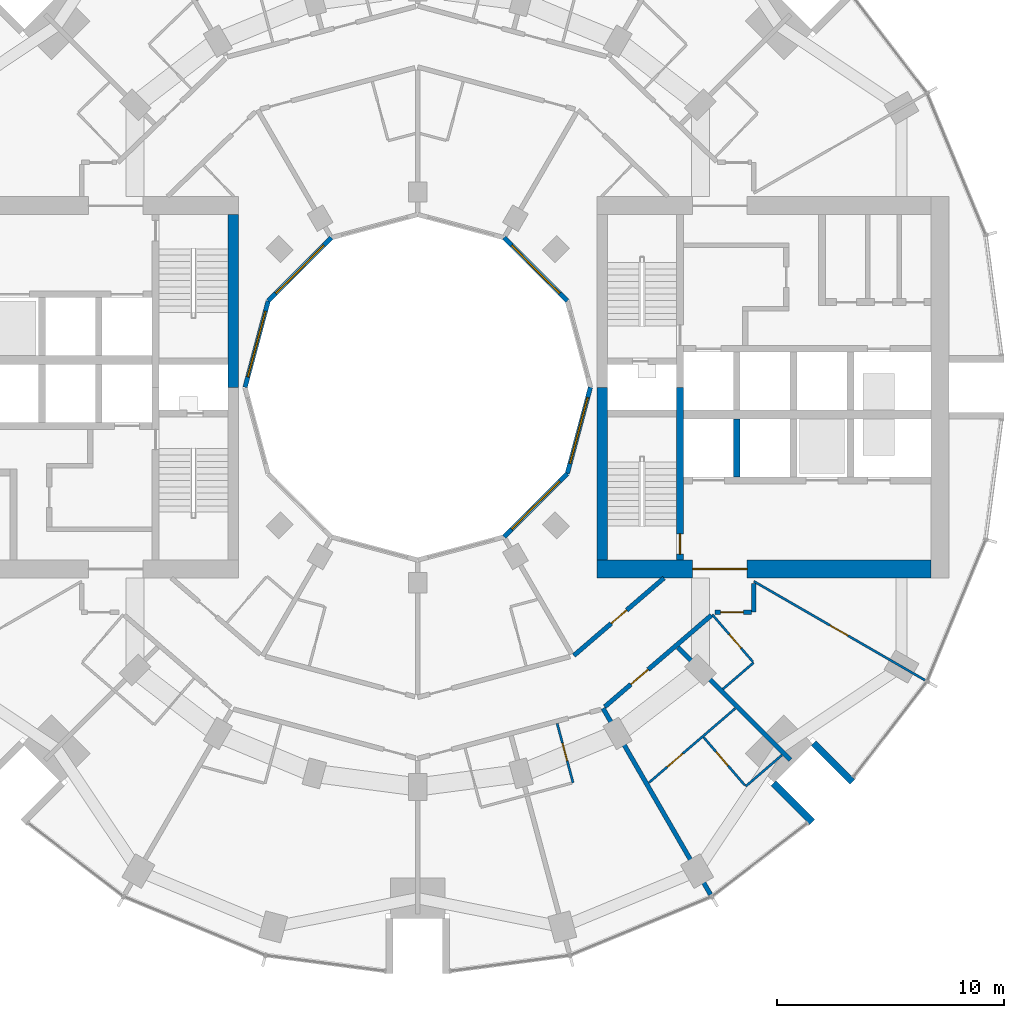
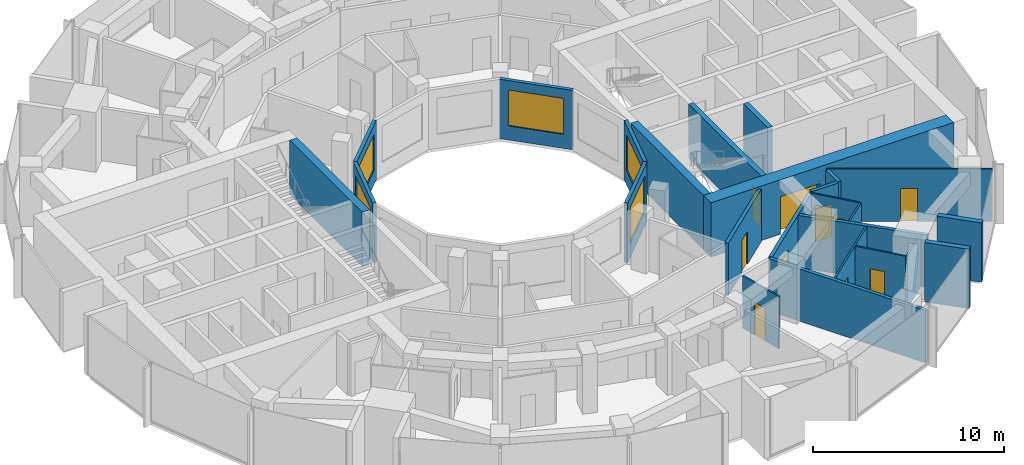
# One storey, part 10 of 15: 25 walls, 10 doors, 5 windows, 15 openings.
"""IFC4 building model written with IfcOpenShell, lengths in metres."""

from ifc_helpers import new_model, si_unit, direction, frame, frame_2d, origin, place, context, subcontext, project, spatial, rectangle, extrude, material, layer, layer_set, type_object, element, fill, save


model = new_model("IFC4")

# Units and contexts
model_context = context("Model", 3, precision=1e-05, world=origin(), true_north=direction((0.0, 1.0)))
body_context = subcontext(model_context, "Body", "Model", "MODEL_VIEW")
ifc_project = project(units=[si_unit("LENGTHUNIT", "METRE"), si_unit("AREAUNIT", "SQUARE_METRE"), si_unit("VOLUMEUNIT", "CUBIC_METRE"), si_unit("PLANEANGLEUNIT", "RADIAN"), si_unit("MASSUNIT", "GRAM", prefix="KILO")], contexts=[model_context])

# Site, building, storey
site_placement = place(None, origin())
site = spatial("IfcSite", under=ifc_project, at=site_placement, CompositionType="ELEMENT")
building_placement = place(site_placement, origin())
building = spatial("IfcBuilding", under=site, at=building_placement, Name="Torre Brocal", CompositionType="ELEMENT")
storey_placement = place(building_placement, frame((0.0, 0.0, 36.39990234375)))
storey = spatial("IfcBuildingStorey", under=building, at=storey_placement, Name="L07", CompositionType="ELEMENT", Elevation=36.39990234375)

# Wall, opening, door
ifc_material_1 = material(Name="Concrete C80", Category="concrete")
ifc_layer_1 = layer(ifc_material_1, 0.300048828125)
ifc_layer_set_1 = layer_set([ifc_layer_1], Name="Concrete C80")
wall_type_1 = type_object("IfcWallType", Name="CORE WALL 300 C80", PredefinedType="SHEAR", material=ifc_layer_set_1)
wall_1_placement = place(storey_placement, frame((91.550048828125, 67.39990234375, 0.0), z_axis=(0.0, 0.0, 1.0), x_axis=(0.0, 1.0, 0.0)))
wall_1 = element("IfcWall", 1, at=wall_1_placement, inside=storey, type_object=wall_type_1, Name="Wall CW300-80", PredefinedType="SHEAR", context=body_context, shape_type="SweptSolid", body=[
    extrude(rectangle(XDim=7.60009765625, YDim=0.300048828125, at=frame_2d((3.800048828125, 0.0))), origin(), (0.0, 0.0, 1.0), 3.47998046875),
])
opening_1_placement = place(wall_1_placement, frame((0.25, 0.0, 0.0)))
opening_1 = element("IfcOpeningElement", 2, at=opening_1_placement, cuts=wall_1, Name="Opening E-D03", PredefinedType="OPENING", context=body_context, shape_type="SweptSolid", body=[
    extrude(rectangle(XDim=0.89990234375, YDim=2.10009765625, at=frame_2d((0.449951171875, 1.050048828125))), frame((0.0, 0.159912109375, 0.0), z_axis=(0.0, -1.0, 0.0), x_axis=(1.0, 0.0, 0.0)), (0.0, 0.0, 1.0), 0.320068359375),
])
ifc_material_2 = material(Name="Steel A653", Category="steel")
door_type_1 = type_object("IfcDoorType", Name="STAIR DOOR FD120 900X2100", OperationType="SINGLE_SWING_RIGHT", PredefinedType="DOOR", material=ifc_material_2)
door_1_placement = place(opening_1_placement, origin())
door_1 = element("IfcDoor", 3, at=door_1_placement, inside=storey, type_object=door_type_1, Name="Door E-D03", OperationType="SINGLE_SWING_LEFT", OverallHeight=2.10009765625, OverallWidth=0.89990234375, PredefinedType="DOOR", context=body_context, shape_type="SweptSolid", body=[
    extrude(rectangle(XDim=0.89990234375, YDim=2.10009765625, at=frame_2d((0.449951171875, 1.050048828125))), frame((0.0, 0.02490234375, 0.0), z_axis=(0.0, -1.0, 0.0), x_axis=(1.0, 0.0, 0.0)), (0.0, 0.0, 1.0), 0.050048828125),
])
fill(opening_1, door_1)

# Walls
wall_2_placement = place(storey_placement, frame((94.050048828125, 71.050048828125, 0.0), z_axis=(0.0, 0.0, 1.0), x_axis=(0.0, 1.0, 0.0)))
element("IfcWall", 4, at=wall_2_placement, inside=storey, type_object=wall_type_1, Name="Wall CW300-80", PredefinedType="SHEAR", context=body_context, shape_type="SweptSolid", body=[
    extrude(rectangle(XDim=2.550048828125, YDim=0.300048828125, at=frame_2d((1.27490234375, 0.0))), origin(), (0.0, 0.0, 1.0), 3.47998046875),
])
ifc_material_3 = material(Name="Concrete C80", Category="concrete")
ifc_layer_2 = layer(ifc_material_3, 0.449951171875)
ifc_layer_set_2 = layer_set([ifc_layer_2], Name="Concrete C80")
wall_type_2 = type_object("IfcWallType", Name="CORE WALL 450 C80", PredefinedType="SHEAR", material=ifc_layer_set_2)
for number, where, z_axis, x_axis, name in (
    (5, (88.125, 67.39990234375, 0.0), (0.0, 0.0, 1.0), (0.0, 1.0, 0.0), "Wall CW450-80"),
    (6, (71.875, 82.60009765625, 0.0), (0.0, 0.0, 1.0), (0.0, -1.0, 0.0), "Wall CW450-80"),
):
    element("IfcWall", number, at=place(storey_placement, frame(where, z_axis=z_axis, x_axis=x_axis)), inside=storey, type_object=wall_type_2, Name=name, PredefinedType="SHEAR", context=body_context, shape_type="SweptSolid", body=[
        extrude(rectangle(XDim=7.60009765625, YDim=0.449951171875, at=frame_2d((3.800048828125, 0.0))), origin(), (0.0, 0.0, 1.0), 3.47998046875),
    ])

# Wall, opening, door
ifc_material_4 = material(Name="Concrete C80", Category="concrete")
ifc_layer_3 = layer(ifc_material_4, 0.800048828125)
ifc_layer_set_3 = layer_set([ifc_layer_3], Name="Concrete C80")
wall_type_3 = type_object("IfcWallType", Name="CORE WALL 800 C80", PredefinedType="SHEAR", material=ifc_layer_set_3)
wall_3_placement = place(storey_placement, frame((87.89990234375, 67.0, 0.0), z_axis=(0.0, 0.0, 1.0), x_axis=(1.0, 0.0, 0.0)))
wall_3 = element("IfcWall", 7, at=wall_3_placement, inside=storey, type_object=wall_type_3, Name="Wall CW800-80", PredefinedType="SHEAR", context=body_context, shape_type="SweptSolid", body=[
    extrude(rectangle(XDim=14.7001953125, YDim=0.800048828125, at=frame_2d((7.35009765625, 0.0))), origin(), (0.0, 0.0, 1.0), 3.47998046875),
])
opening_2_placement = place(wall_3_placement, frame((4.199951171875, 0.0, 0.0)))
opening_2 = element("IfcOpeningElement", 8, at=opening_2_placement, cuts=wall_3, Name="Opening E-D30", PredefinedType="OPENING", context=body_context, shape_type="SweptSolid", body=[
    extrude(rectangle(XDim=2.39990234375, YDim=2.39990234375, at=frame_2d((1.199951171875, 1.199951171875))), frame((0.0, 0.409912109375, 0.0), z_axis=(0.0, -1.0, 0.0), x_axis=(1.0, 0.0, 0.0)), (0.0, 0.0, 1.0), 0.820068359375),
])
ifc_material_5 = material(Name="Steel A653", Category="steel")
door_type_2 = type_object("IfcDoorType", Name="DOUBLE FIRE DOOR FD90 2400X2400", OperationType="DOUBLE_DOOR_SINGLE_SWING", PredefinedType="DOOR", material=ifc_material_5)
door_2_placement = place(opening_2_placement, origin())
door_2 = element("IfcDoor", 9, at=door_2_placement, inside=storey, type_object=door_type_2, Name="Door E-D30", OperationType="DOUBLE_DOOR_SINGLE_SWING", OverallHeight=2.39990234375, OverallWidth=2.39990234375, PredefinedType="DOOR", context=body_context, shape_type="SweptSolid", body=[
    extrude(rectangle(XDim=2.39990234375, YDim=2.39990234375, at=frame_2d((1.199951171875, 1.199951171875))), frame((0.0, 0.02490234375, 0.0), z_axis=(0.0, -1.0, 0.0), x_axis=(1.0, 0.0, 0.0)), (0.0, 0.0, 1.0), 0.050048828125),
])
fill(opening_2, door_2)

# Walls
ifc_material_6 = material(Name="Concrete C80", Category="concrete")
ifc_layer_4 = layer(ifc_material_6, 0.300048828125)
ifc_layer_set_4 = layer_set([ifc_layer_4], Name="Concrete C80")
wall_type_4 = type_object("IfcWallType", Name="NOTCH RETURN WALL 300 C80", PredefinedType="NOTDEFINED", material=ifc_layer_set_4)
for number, where, z_axis, x_axis, name in (
    (10, (95.662353515625, 57.56982421875, 0.0), (0.0, 0.0, 1.0), (0.707106781187, -0.707106781187, 0.0), "NOTCH RETURN WALL"),
    (11, (97.43017578125, 59.337646484375, 0.0), (0.0, 0.0, 1.0), (0.707106781187, -0.707106781187, 0.0), "NOTCH RETURN WALL"),
):
    element("IfcWall", number, at=place(storey_placement, frame(where, z_axis=z_axis, x_axis=x_axis)), inside=storey, type_object=wall_type_4, Name=name, PredefinedType="NOTDEFINED", context=body_context, shape_type="SweptSolid", body=[
        extrude(rectangle(XDim=2.415771484375, YDim=0.300048828125, at=frame_2d((1.2080078125, 0.0))), origin(), (0.0, 0.0, 1.0), 3.800048828125),
    ])

# Wall, opening, door
ifc_material_7 = material(Name="Gypsum board", Category="Gypsum")
ifc_layer_5 = layer(ifc_material_7, 0.10009765625)
ifc_layer_set_5 = layer_set([ifc_layer_5], Name="Gypsum board")
wall_type_5 = type_object("IfcWallType", Name="PARTITION 100", PredefinedType="PARTITIONING", material=ifc_layer_set_5)
wall_4_placement = place(storey_placement, frame((86.139892578125, 60.196044921875, 0.0), z_axis=(0.0, 0.0, 1.0), x_axis=(0.258945475746, -0.965891940432, 0.0)))
wall_4 = element("IfcWall", 12, at=wall_4_placement, inside=storey, type_object=wall_type_5, Name="BATHROOM WALL", PredefinedType="PARTITIONING", context=body_context, shape_type="SweptSolid", body=[
    extrude(rectangle(XDim=2.7001953125, YDim=0.10009765625, at=frame_2d((1.35009765625, 0.0))), origin(), (0.0, 0.0, 1.0), 3.35009765625),
])
opening_3_placement = place(wall_4_placement, frame((0.89990234375, 0.0, 0.0)))
opening_3 = element("IfcOpeningElement", 13, at=opening_3_placement, cuts=wall_4, Name="Opening H01-D33", PredefinedType="OPENING", context=body_context, shape_type="SweptSolid", body=[
    extrude(rectangle(XDim=0.800048828125, YDim=2.10009765625, at=frame_2d((0.39990234375, 1.050048828125))), frame((0.0, 0.06005859375, 0.0), z_axis=(0.0, -1.0, 0.0), x_axis=(1.0, 0.0, 0.0)), (0.0, 0.0, 1.0), 0.1201171875),
])
ifc_material_8 = material(Name="Timber", Category="wood")
door_type_3 = type_object("IfcDoorType", Name="BATHROOM DOOR 800X2100", OperationType="SINGLE_SWING_LEFT", PredefinedType="DOOR", material=ifc_material_8)
door_3_placement = place(opening_3_placement, frame((0.800048828125, 0.0, 0.0), z_axis=(0.0, 0.0, 1.0), x_axis=(-1.0, 0.0, 0.0)))
door_3 = element("IfcDoor", 14, at=door_3_placement, inside=storey, type_object=door_type_3, Name="H01-D33", OperationType="SINGLE_SWING_RIGHT", OverallHeight=2.10009765625, OverallWidth=0.800048828125, PredefinedType="DOOR", context=body_context, shape_type="SweptSolid", body=[
    extrude(rectangle(XDim=0.800048828125, YDim=2.10009765625, at=frame_2d((0.39990234375, 1.050048828125))), frame((0.0, 0.02490234375, 0.0), z_axis=(0.0, -1.0, 0.0), x_axis=(1.0, 0.0, 0.0)), (0.0, 0.0, 1.0), 0.050048828125),
])
fill(opening_3, door_3)

wall_5_placement = place(storey_placement, frame((90.17822265625, 57.5869140625, 0.0), z_axis=(0.0, 0.0, 1.0), x_axis=(0.758140003227, 0.652091815243, 0.0)))
wall_5 = element("IfcWall", 15, at=wall_5_placement, inside=storey, type_object=wall_type_5, Name="BATHROOM WALL", PredefinedType="PARTITIONING", context=body_context, shape_type="SweptSolid", body=[
    extrude(rectangle(XDim=5.02099609375, YDim=0.10009765625, at=frame_2d((2.510498046875, 0.0))), origin(), (0.0, 0.0, 1.0), 3.35009765625),
])
opening_4_placement = place(wall_5_placement, frame((1.070556640625, 0.0, 0.0)))
opening_4 = element("IfcOpeningElement", 16, at=opening_4_placement, cuts=wall_5, Name="Opening H01-D30", PredefinedType="OPENING", context=body_context, shape_type="SweptSolid", body=[
    extrude(rectangle(XDim=0.89990234375, YDim=2.10009765625, at=frame_2d((0.449951171875, 1.050048828125))), frame((0.0, 0.06005859375, 0.0), z_axis=(0.0, -1.0, 0.0), x_axis=(1.0, 0.0, 0.0)), (0.0, 0.0, 1.0), 0.1201171875),
])
ifc_material_9 = material(Name="Timber", Category="wood")
door_type_4 = type_object("IfcDoorType", Name="ROOM DOOR 900X2100", OperationType="SINGLE_SWING_LEFT", PredefinedType="DOOR", material=ifc_material_9)
door_4_placement = place(opening_4_placement, origin())
door_4 = element("IfcDoor", 17, at=door_4_placement, inside=storey, type_object=door_type_4, Name="H01-D30", OperationType="SINGLE_SWING_LEFT", OverallHeight=2.10009765625, OverallWidth=0.89990234375, PredefinedType="DOOR", context=body_context, shape_type="SweptSolid", body=[
    extrude(rectangle(XDim=0.89990234375, YDim=2.10009765625, at=frame_2d((0.449951171875, 1.050048828125))), frame((0.0, 0.02490234375, 0.0), z_axis=(0.0, -1.0, 0.0), x_axis=(1.0, 0.0, 0.0)), (0.0, 0.0, 1.0), 0.050048828125),
])
fill(opening_4, door_4)

wall_6_placement = place(storey_placement, frame((92.584716796875, 59.591064453125, 0.0), z_axis=(0.0, 0.0, 1.0), x_axis=(0.652011200591, -0.758209334092, 0.0)))
wall_6 = element("IfcWall", 18, at=wall_6_placement, inside=storey, type_object=wall_type_5, Name="BATHROOM WALL", PredefinedType="PARTITIONING", context=body_context, shape_type="SweptSolid", body=[
    extrude(rectangle(XDim=2.800048828125, YDim=0.10009765625, at=frame_2d((1.39990234375, 0.0))), origin(), (0.0, 0.0, 1.0), 3.35009765625),
])
opening_5_placement = place(wall_6_placement, frame((0.85009765625, 0.0, 0.0)))
opening_5 = element("IfcOpeningElement", 19, at=opening_5_placement, cuts=wall_6, Name="Opening H01-D31", PredefinedType="OPENING", context=body_context, shape_type="SweptSolid", body=[
    extrude(rectangle(XDim=0.800048828125, YDim=2.10009765625, at=frame_2d((0.39990234375, 1.050048828125))), frame((0.0, 0.06005859375, 0.0), z_axis=(0.0, -1.0, 0.0), x_axis=(1.0, 0.0, 0.0)), (0.0, 0.0, 1.0), 0.1201171875),
])
door_5_placement = place(opening_5_placement, origin())
door_5 = element("IfcDoor", 20, at=door_5_placement, inside=storey, type_object=door_type_3, Name="H01-D31", OperationType="SINGLE_SWING_LEFT", OverallHeight=2.10009765625, OverallWidth=0.800048828125, PredefinedType="DOOR", context=body_context, shape_type="SweptSolid", body=[
    extrude(rectangle(XDim=0.800048828125, YDim=2.10009765625, at=frame_2d((0.39990234375, 1.050048828125))), frame((0.0, 0.02490234375, 0.0), z_axis=(0.0, -1.0, 0.0), x_axis=(1.0, 0.0, 0.0)), (0.0, 0.0, 1.0), 0.050048828125),
])
fill(opening_5, door_5)

wall_7_placement = place(storey_placement, frame((92.965087890625, 64.996826171875, 0.0), z_axis=(0.0, 0.0, 1.0), x_axis=(0.652069888227, -0.758158862553, 0.0)))
wall_7 = element("IfcWall", 21, at=wall_7_placement, inside=storey, type_object=wall_type_5, Name="BATHROOM WALL", PredefinedType="PARTITIONING", context=body_context, shape_type="SweptSolid", body=[
    extrude(rectangle(XDim=2.75, YDim=0.10009765625, at=frame_2d((1.375, 0.0))), origin(), (0.0, 0.0, 1.0), 3.35009765625),
])
opening_6_placement = place(wall_7_placement, frame((1.14990234375, 0.0, 0.0)))
opening_6 = element("IfcOpeningElement", 22, at=opening_6_placement, cuts=wall_7, Name="Opening H01-D27", PredefinedType="OPENING", context=body_context, shape_type="SweptSolid", body=[
    extrude(rectangle(XDim=0.800048828125, YDim=2.10009765625, at=frame_2d((0.39990234375, 1.050048828125))), frame((0.0, 0.06005859375, 0.0), z_axis=(0.0, -1.0, 0.0), x_axis=(1.0, 0.0, 0.0)), (0.0, 0.0, 1.0), 0.1201171875),
])
door_6_placement = place(opening_6_placement, frame((0.800048828125, 0.0, 0.0), z_axis=(0.0, 0.0, 1.0), x_axis=(-1.0, 0.0, 0.0)))
door_6 = element("IfcDoor", 23, at=door_6_placement, inside=storey, type_object=door_type_3, Name="H01-D27", OperationType="SINGLE_SWING_LEFT", OverallHeight=2.10009765625, OverallWidth=0.800048828125, PredefinedType="DOOR", context=body_context, shape_type="SweptSolid", body=[
    extrude(rectangle(XDim=0.800048828125, YDim=2.10009765625, at=frame_2d((0.39990234375, 1.050048828125))), frame((0.0, 0.02490234375, 0.0), z_axis=(0.0, -1.0, 0.0), x_axis=(1.0, 0.0, 0.0)), (0.0, 0.0, 1.0), 0.050048828125),
])
fill(opening_6, door_6)

# Walls
wall_8_placement = place(storey_placement, frame((93.434814453125, 61.707275390625, 0.0), z_axis=(0.0, 0.0, 1.0), x_axis=(0.758070495124, 0.652172618578, 0.0)))
element("IfcWall", 24, at=wall_8_placement, inside=storey, type_object=wall_type_5, Name="BATHROOM WALL", PredefinedType="PARTITIONING", context=body_context, shape_type="SweptSolid", body=[
    extrude(rectangle(XDim=1.7890625, YDim=0.10009765625, at=frame_2d((0.89453125, 0.0))), origin(), (0.0, 0.0, 1.0), 3.35009765625),
])
wall_9_placement = place(storey_placement, frame((94.443115234375, 57.429931640625, 0.0), z_axis=(0.0, 0.0, 1.0), x_axis=(0.757840386328, 0.65243999636, 0.0)))
element("IfcWall", 25, at=wall_9_placement, inside=storey, type_object=wall_type_5, Name="BATHROOM WALL", PredefinedType="PARTITIONING", context=body_context, shape_type="SweptSolid", body=[
    extrude(rectangle(XDim=2.10791015625, YDim=0.10009765625, at=frame_2d((1.053955078125, 0.0))), origin(), (0.0, 0.0, 1.0), 3.35009765625),
])

# Wall, opening, door
wall_10_placement = place(storey_placement, frame((94.800048828125, 66.455078125, 0.0), z_axis=(0.0, 0.0, 1.0), x_axis=(0.86602264145, -0.500004784474, 0.0)))
wall_10 = element("IfcWall", 26, at=wall_10_placement, inside=storey, type_object=wall_type_5, Name="ROOM PARTITION", PredefinedType="PARTITIONING", context=body_context, shape_type="SweptSolid", body=[
    extrude(rectangle(XDim=8.7080078125, YDim=0.10009765625, at=frame_2d((4.35400390625, 0.0))), origin(), (0.0, 0.0, 1.0), 3.35009765625),
])
opening_7_placement = place(wall_10_placement, frame((3.87890625, 0.0, 0.0)))
opening_7 = element("IfcOpeningElement", 27, at=opening_7_placement, cuts=wall_10, Name="Opening H01-D28", PredefinedType="OPENING", context=body_context, shape_type="SweptSolid", body=[
    extrude(rectangle(XDim=0.89990234375, YDim=2.10009765625, at=frame_2d((0.449951171875, 1.050048828125))), frame((0.0, 0.06005859375, 0.0), z_axis=(0.0, -1.0, 0.0), x_axis=(1.0, 0.0, 0.0)), (0.0, 0.0, 1.0), 0.1201171875),
])
door_7_placement = place(opening_7_placement, origin())
door_7 = element("IfcDoor", 28, at=door_7_placement, inside=storey, type_object=door_type_4, Name="H01-D28", OperationType="SINGLE_SWING_LEFT", OverallHeight=2.10009765625, OverallWidth=0.89990234375, PredefinedType="DOOR", context=body_context, shape_type="SweptSolid", body=[
    extrude(rectangle(XDim=0.89990234375, YDim=2.10009765625, at=frame_2d((0.449951171875, 1.050048828125))), frame((0.0, 0.02490234375, 0.0), z_axis=(0.0, -1.0, 0.0), x_axis=(1.0, 0.0, 0.0)), (0.0, 0.0, 1.0), 0.050048828125),
])
fill(opening_7, door_7)

ifc_material_10 = material(Name="Gypsum board", Category="Gypsum")
ifc_layer_6 = layer(ifc_material_10, 0.199951171875)
ifc_layer_set_6 = layer_set([ifc_layer_6], Name="Gypsum board")
wall_type_6 = type_object("IfcWallType", Name="PARTITION 200 EI60", PredefinedType="PARTITIONING", material=ifc_layer_set_6)
wall_11_placement = place(storey_placement, frame((86.876953125, 63.18896484375, 0.0), z_axis=(0.0, 0.0, 1.0), x_axis=(0.758075808328, 0.652166442581, 0.0)))
wall_11 = element("IfcWall", 29, at=wall_11_placement, inside=storey, type_object=wall_type_6, Name="CORRIDOR WALL", PredefinedType="PARTITIONING", context=body_context, shape_type="SweptSolid", body=[
    extrude(rectangle(XDim=5.23046875, YDim=0.199951171875, at=frame_2d((2.615234375, 0.0))), origin(), (0.0, 0.0, 1.0), 3.35009765625),
])
opening_8_placement = place(wall_11_placement, frame((2.165283203125, 0.0, 0.0)))
opening_8 = element("IfcOpeningElement", 30, at=opening_8_placement, cuts=wall_11, Name="Opening H01-D43", PredefinedType="OPENING", context=body_context, shape_type="SweptSolid", body=[
    extrude(rectangle(XDim=0.89990234375, YDim=2.10009765625, at=frame_2d((0.449951171875, 1.050048828125))), frame((0.0, 0.10986328125, 0.0), z_axis=(0.0, -1.0, 0.0), x_axis=(1.0, 0.0, 0.0)), (0.0, 0.0, 1.0), 0.219970703125),
])
door_8_placement = place(opening_8_placement, origin())
door_8 = element("IfcDoor", 31, at=door_8_placement, inside=storey, type_object=door_type_4, Name="H01-D43", OperationType="SINGLE_SWING_RIGHT", OverallHeight=2.10009765625, OverallWidth=0.89990234375, PredefinedType="DOOR", context=body_context, shape_type="SweptSolid", body=[
    extrude(rectangle(XDim=0.89990234375, YDim=2.10009765625, at=frame_2d((0.449951171875, 1.050048828125))), frame((0.0, 0.02490234375, 0.0), z_axis=(0.0, -1.0, 0.0), x_axis=(1.0, 0.0, 0.0)), (0.0, 0.0, 1.0), 0.050048828125),
])
fill(opening_8, door_8)

wall_12_placement = place(storey_placement, frame((88.234619140625, 60.931396484375, 0.0), z_axis=(0.0, 0.0, 1.0), x_axis=(0.758799498714, 0.651324282329, 0.0)))
wall_12 = element("IfcWall", 32, at=wall_12_placement, inside=storey, type_object=wall_type_6, Name="FLAT ENTRANCE WALL", PredefinedType="PARTITIONING", context=body_context, shape_type="SweptSolid", body=[
    extrude(rectangle(XDim=6.185546875, YDim=0.199951171875, at=frame_2d((3.0927734375, 0.0))), origin(), (0.0, 0.0, 1.0), 3.35009765625),
])
opening_9_placement = place(wall_12_placement, frame((1.518798828125, 0.0, 0.0)))
opening_9 = element("IfcOpeningElement", 33, at=opening_9_placement, cuts=wall_12, Name="Opening H01-D29", PredefinedType="OPENING", context=body_context, shape_type="SweptSolid", body=[
    extrude(rectangle(XDim=1.0, YDim=2.10009765625, at=frame_2d((0.5, 1.050048828125))), frame((0.0, 0.10986328125, 0.0), z_axis=(0.0, -1.0, 0.0), x_axis=(1.0, 0.0, 0.0)), (0.0, 0.0, 1.0), 0.219970703125),
])
ifc_material_11 = material(Name="Timber", Category="wood")
door_type_5 = type_object("IfcDoorType", Name="FLAT ENTRY DOOR FD30S 1000X2100", OperationType="SINGLE_SWING_RIGHT", PredefinedType="DOOR", material=ifc_material_11)
door_9_placement = place(opening_9_placement, frame((1.0, 0.0, 0.0), z_axis=(0.0, 0.0, 1.0), x_axis=(-1.0, 0.0, 0.0)))
door_9 = element("IfcDoor", 34, at=door_9_placement, inside=storey, type_object=door_type_5, Name="H01-D29", OperationType="SINGLE_SWING_LEFT", OverallHeight=2.10009765625, OverallWidth=1.0, PredefinedType="DOOR", context=body_context, shape_type="SweptSolid", body=[
    extrude(rectangle(XDim=1.0, YDim=2.10009765625, at=frame_2d((0.5, 1.050048828125))), frame((0.0, 0.02490234375, 0.0), z_axis=(0.0, -1.0, 0.0), x_axis=(1.0, 0.0, 0.0)), (0.0, 0.0, 1.0), 0.050048828125),
])
fill(opening_9, door_9)

# Walls
wall_13_placement = place(storey_placement, frame((88.159912109375, 60.863037109375, 0.0), z_axis=(0.0, 0.0, 1.0), x_axis=(0.499946996988, -0.866056002925, 0.0)))
element("IfcWall", 35, at=wall_13_placement, inside=storey, type_object=wall_type_6, Name="PARTY PARTITION", PredefinedType="PARTITIONING", context=body_context, shape_type="SweptSolid", body=[
    extrude(rectangle(XDim=9.474609375, YDim=0.199951171875, at=frame_2d((4.7373046875, 0.0))), origin(), (0.0, 0.0, 1.0), 3.35009765625),
])
wall_14_placement = place(storey_placement, frame((91.449462890625, 63.5478515625, 0.0), z_axis=(0.0, 0.0, 1.0), x_axis=(0.706984804638, -0.707228736698, 0.0)))
element("IfcWall", 36, at=wall_14_placement, inside=storey, type_object=wall_type_6, Name="BATHROOM WALL", PredefinedType="PARTITIONING", context=body_context, shape_type="SweptSolid", body=[
    extrude(rectangle(XDim=7.006103515625, YDim=0.199951171875, at=frame_2d((3.5029296875, 0.0))), origin(), (0.0, 0.0, 1.0), 3.35009765625),
])

# Wall, opening, door
wall_15_placement = place(storey_placement, frame((93.0849609375, 65.10009765625, 0.0), z_axis=(0.0, 0.0, 1.0), x_axis=(1.0, 0.0, 0.0)))
wall_15 = element("IfcWall", 37, at=wall_15_placement, inside=storey, type_object=wall_type_6, Name="GUESTROOM CORRIDOR WALL", PredefinedType="PARTITIONING", context=body_context, shape_type="SweptSolid", body=[
    extrude(rectangle(XDim=1.614990234375, YDim=0.199951171875, at=frame_2d((0.8076171875, 0.0))), origin(), (0.0, 0.0, 1.0), 3.35009765625),
])
opening_10_placement = place(wall_15_placement, frame((0.25, 0.0, 0.0)))
opening_10 = element("IfcOpeningElement", 38, at=opening_10_placement, cuts=wall_15, Name="Opening H01-D26", PredefinedType="OPENING", context=body_context, shape_type="SweptSolid", body=[
    extrude(rectangle(XDim=1.0, YDim=2.10009765625, at=frame_2d((0.5, 1.050048828125))), frame((0.0, 0.10986328125, 0.0), z_axis=(0.0, -1.0, 0.0), x_axis=(1.0, 0.0, 0.0)), (0.0, 0.0, 1.0), 0.219970703125),
])
door_10_placement = place(opening_10_placement, frame((1.0, 0.0, 0.0), z_axis=(0.0, 0.0, 1.0), x_axis=(-1.0, 0.0, 0.0)))
door_10 = element("IfcDoor", 39, at=door_10_placement, inside=storey, type_object=door_type_5, Name="H01-D26", OperationType="SINGLE_SWING_LEFT", OverallHeight=2.10009765625, OverallWidth=1.0, PredefinedType="DOOR", context=body_context, shape_type="SweptSolid", body=[
    extrude(rectangle(XDim=1.0, YDim=2.10009765625, at=frame_2d((0.5, 1.050048828125))), frame((0.0, 0.02490234375, 0.0), z_axis=(0.0, -1.0, 0.0), x_axis=(1.0, 0.0, 0.0)), (0.0, 0.0, 1.0), 0.050048828125),
])
fill(opening_10, door_10)

# Wall
wall_16_placement = place(storey_placement, frame((94.800048828125, 65.10009765625, 0.0), z_axis=(0.0, 0.0, 1.0), x_axis=(0.0, 1.0, 0.0)))
element("IfcWall", 40, at=wall_16_placement, inside=storey, type_object=wall_type_6, Name="GUESTROOM CORRIDOR WALL", PredefinedType="PARTITIONING", context=body_context, shape_type="SweptSolid", body=[
    extrude(rectangle(XDim=1.25, YDim=0.199951171875, at=frame_2d((0.625, 0.0))), origin(), (0.0, 0.0, 1.0), 3.35009765625),
])

# Wall, opening, window
ifc_material_12 = material(Name="Concrete C40", Category="concrete")
ifc_layer_7 = layer(ifc_material_12, 0.199951171875)
ifc_layer_set_7 = layer_set([ifc_layer_7], Name="Concrete C40")
wall_type_7 = type_object("IfcWallType", Name="WELL FACADE WALL 200", PredefinedType="NOTDEFINED", material=ifc_layer_set_7)
wall_17_placement = place(storey_placement, frame((86.5849609375, 78.8017578125, 0.0), z_axis=(0.0, 0.0, 1.0), x_axis=(-0.707106781187, 0.707106781187, 0.0)))
wall_17 = element("IfcWall", 41, at=wall_17_placement, inside=storey, type_object=wall_type_7, Name="WELL FACADE WALL", PredefinedType="NOTDEFINED", context=body_context, shape_type="SweptSolid", body=[
    extrude(rectangle(XDim=3.93603515625, YDim=0.199951171875, at=frame_2d((1.968017578125, 0.0))), origin(), (0.0, 0.0, 1.0), 3.800048828125),
])
opening_11_placement = place(wall_17_placement, frame((0.468017578125, 0.0, 0.89990234375)))
opening_11 = element("IfcOpeningElement", 42, at=opening_11_placement, cuts=wall_17, Name="Opening W1", PredefinedType="OPENING", context=body_context, shape_type="SweptSolid", body=[
    extrude(rectangle(XDim=3.0, YDim=2.300048828125, at=frame_2d((1.5, 1.14990234375))), frame((0.0, 0.10986328125, 0.0), z_axis=(0.0, -1.0, 0.0), x_axis=(1.0, 0.0, 0.0)), (0.0, 0.0, 1.0), 0.219970703125),
])
ifc_material_13 = material(Name="Aluminium and glass", Category="aluminium")
window_type = type_object("IfcWindowType", Name="WELL WINDOW 3000X2300", PartitioningType="SINGLE_PANEL", PredefinedType="WINDOW", material=ifc_material_13)
window_1_placement = place(opening_11_placement, origin())
window_1 = element("IfcWindow", 43, at=window_1_placement, inside=storey, type_object=window_type, Name="WELL WINDOW 3000X2300", OverallHeight=2.300048828125, OverallWidth=3.0, PartitioningType="SINGLE_PANEL", PredefinedType="WINDOW", context=body_context, shape_type="SweptSolid", body=[
    extrude(rectangle(XDim=3.0, YDim=2.300048828125, at=frame_2d((1.5, 1.14990234375))), frame((0.0, 0.030029296875, 0.0), z_axis=(0.0, -1.0, 0.0), x_axis=(1.0, 0.0, 0.0)), (0.0, 0.0, 1.0), 0.06005859375),
])
fill(opening_11, window_1)

wall_18_placement = place(storey_placement, frame((76.1982421875, 81.5849609375, 0.0), z_axis=(0.0, 0.0, 1.0), x_axis=(-0.707106781187, -0.707106781187, 0.0)))
wall_18 = element("IfcWall", 44, at=wall_18_placement, inside=storey, type_object=wall_type_7, Name="WELL FACADE WALL", PredefinedType="NOTDEFINED", context=body_context, shape_type="SweptSolid", body=[
    extrude(rectangle(XDim=3.93603515625, YDim=0.199951171875, at=frame_2d((1.968017578125, 0.0))), origin(), (0.0, 0.0, 1.0), 3.800048828125),
])
opening_12_placement = place(wall_18_placement, frame((0.468017578125, 0.0, 0.89990234375)))
opening_12 = element("IfcOpeningElement", 45, at=opening_12_placement, cuts=wall_18, Name="Opening W1", PredefinedType="OPENING", context=body_context, shape_type="SweptSolid", body=[
    extrude(rectangle(XDim=3.0, YDim=2.300048828125, at=frame_2d((1.5, 1.14990234375))), frame((0.0, 0.10986328125, 0.0), z_axis=(0.0, -1.0, 0.0), x_axis=(1.0, 0.0, 0.0)), (0.0, 0.0, 1.0), 0.219970703125),
])
window_2_placement = place(opening_12_placement, origin())
window_2 = element("IfcWindow", 46, at=window_2_placement, inside=storey, type_object=window_type, Name="WELL WINDOW 3000X2300", OverallHeight=2.300048828125, OverallWidth=3.0, PartitioningType="SINGLE_PANEL", PredefinedType="WINDOW", context=body_context, shape_type="SweptSolid", body=[
    extrude(rectangle(XDim=3.0, YDim=2.300048828125, at=frame_2d((1.5, 1.14990234375))), frame((0.0, 0.030029296875, 0.0), z_axis=(0.0, -1.0, 0.0), x_axis=(1.0, 0.0, 0.0)), (0.0, 0.0, 1.0), 0.06005859375),
])
fill(opening_12, window_2)

wall_19_placement = place(storey_placement, frame((73.4150390625, 78.8017578125, 0.0), z_axis=(0.0, 0.0, 1.0), x_axis=(-0.258789828301, -0.965933654434, 0.0)))
wall_19 = element("IfcWall", 47, at=wall_19_placement, inside=storey, type_object=wall_type_7, Name="WELL FACADE WALL", PredefinedType="NOTDEFINED", context=body_context, shape_type="SweptSolid", body=[
    extrude(rectangle(XDim=3.935791015625, YDim=0.199951171875, at=frame_2d((1.9677734375, 0.0))), origin(), (0.0, 0.0, 1.0), 3.800048828125),
])
opening_13_placement = place(wall_19_placement, frame((0.468017578125, 0.0, 0.89990234375)))
opening_13 = element("IfcOpeningElement", 48, at=opening_13_placement, cuts=wall_19, Name="Opening W1", PredefinedType="OPENING", context=body_context, shape_type="SweptSolid", body=[
    extrude(rectangle(XDim=3.0, YDim=2.300048828125, at=frame_2d((1.5, 1.14990234375))), frame((0.0, 0.10986328125, 0.0), z_axis=(0.0, -1.0, 0.0), x_axis=(1.0, 0.0, 0.0)), (0.0, 0.0, 1.0), 0.219970703125),
])
window_3_placement = place(opening_13_placement, origin())
window_3 = element("IfcWindow", 49, at=window_3_placement, inside=storey, type_object=window_type, Name="WELL WINDOW 3000X2300", OverallHeight=2.300048828125, OverallWidth=3.0, PartitioningType="SINGLE_PANEL", PredefinedType="WINDOW", context=body_context, shape_type="SweptSolid", body=[
    extrude(rectangle(XDim=3.0, YDim=2.300048828125, at=frame_2d((1.5, 1.14990234375))), frame((0.0, 0.030029296875, 0.0), z_axis=(0.0, -1.0, 0.0), x_axis=(1.0, 0.0, 0.0)), (0.0, 0.0, 1.0), 0.06005859375),
])
fill(opening_13, window_3)

wall_20_placement = place(storey_placement, frame((83.8017578125, 68.4150390625, 0.0), z_axis=(0.0, 0.0, 1.0), x_axis=(0.707106781187, 0.707106781187, 0.0)))
wall_20 = element("IfcWall", 50, at=wall_20_placement, inside=storey, type_object=wall_type_7, Name="WELL FACADE WALL", PredefinedType="NOTDEFINED", context=body_context, shape_type="SweptSolid", body=[
    extrude(rectangle(XDim=3.93603515625, YDim=0.199951171875, at=frame_2d((1.968017578125, 0.0))), origin(), (0.0, 0.0, 1.0), 3.800048828125),
])
opening_14_placement = place(wall_20_placement, frame((0.468017578125, 0.0, 0.89990234375)))
opening_14 = element("IfcOpeningElement", 51, at=opening_14_placement, cuts=wall_20, Name="Opening W1", PredefinedType="OPENING", context=body_context, shape_type="SweptSolid", body=[
    extrude(rectangle(XDim=3.0, YDim=2.300048828125, at=frame_2d((1.5, 1.14990234375))), frame((0.0, 0.10986328125, 0.0), z_axis=(0.0, -1.0, 0.0), x_axis=(1.0, 0.0, 0.0)), (0.0, 0.0, 1.0), 0.219970703125),
])
window_4_placement = place(opening_14_placement, origin())
window_4 = element("IfcWindow", 52, at=window_4_placement, inside=storey, type_object=window_type, Name="WELL WINDOW 3000X2300", OverallHeight=2.300048828125, OverallWidth=3.0, PartitioningType="SINGLE_PANEL", PredefinedType="WINDOW", context=body_context, shape_type="SweptSolid", body=[
    extrude(rectangle(XDim=3.0, YDim=2.300048828125, at=frame_2d((1.5, 1.14990234375))), frame((0.0, 0.030029296875, 0.0), z_axis=(0.0, -1.0, 0.0), x_axis=(1.0, 0.0, 0.0)), (0.0, 0.0, 1.0), 0.06005859375),
])
fill(opening_14, window_4)

wall_21_placement = place(storey_placement, frame((86.5849609375, 71.1982421875, 0.0), z_axis=(0.0, 0.0, 1.0), x_axis=(0.258789828301, 0.965933654434, 0.0)))
wall_21 = element("IfcWall", 53, at=wall_21_placement, inside=storey, type_object=wall_type_7, Name="WELL FACADE WALL", PredefinedType="NOTDEFINED", context=body_context, shape_type="SweptSolid", body=[
    extrude(rectangle(XDim=3.935791015625, YDim=0.199951171875, at=frame_2d((1.9677734375, 0.0))), origin(), (0.0, 0.0, 1.0), 3.800048828125),
])
opening_15_placement = place(wall_21_placement, frame((0.468017578125, 0.0, 0.89990234375)))
opening_15 = element("IfcOpeningElement", 54, at=opening_15_placement, cuts=wall_21, Name="Opening W1", PredefinedType="OPENING", context=body_context, shape_type="SweptSolid", body=[
    extrude(rectangle(XDim=3.0, YDim=2.300048828125, at=frame_2d((1.5, 1.14990234375))), frame((0.0, 0.10986328125, 0.0), z_axis=(0.0, -1.0, 0.0), x_axis=(1.0, 0.0, 0.0)), (0.0, 0.0, 1.0), 0.219970703125),
])
window_5_placement = place(opening_15_placement, origin())
window_5 = element("IfcWindow", 55, at=window_5_placement, inside=storey, type_object=window_type, Name="WELL WINDOW 3000X2300", OverallHeight=2.300048828125, OverallWidth=3.0, PartitioningType="SINGLE_PANEL", PredefinedType="WINDOW", context=body_context, shape_type="SweptSolid", body=[
    extrude(rectangle(XDim=3.0, YDim=2.300048828125, at=frame_2d((1.5, 1.14990234375))), frame((0.0, 0.030029296875, 0.0), z_axis=(0.0, -1.0, 0.0), x_axis=(1.0, 0.0, 0.0)), (0.0, 0.0, 1.0), 0.06005859375),
])
fill(opening_15, window_5)

save(model, "model.ifc")
